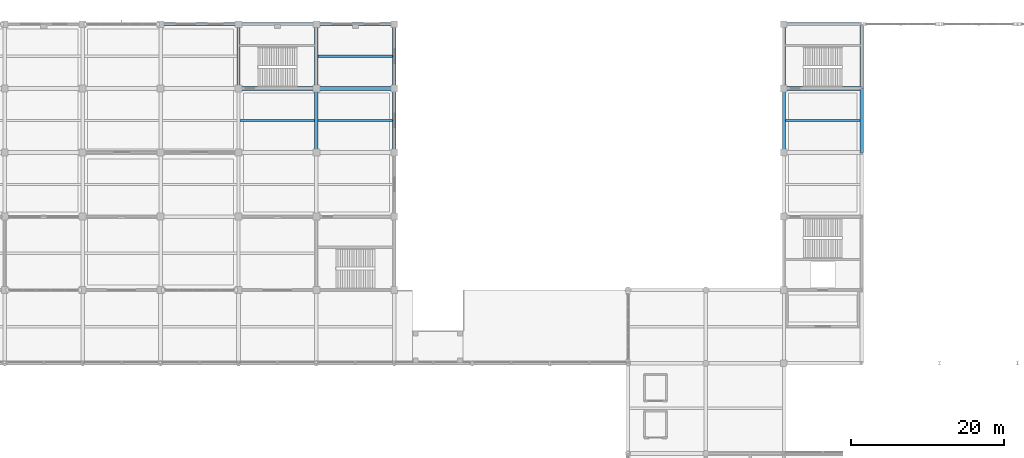
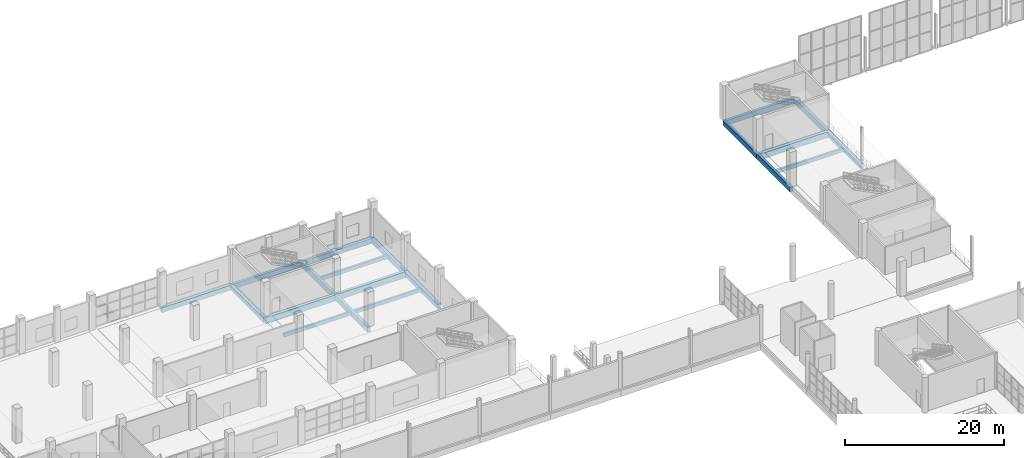
# One storey, part 96 of 175: 20 beams.
"""IFC4 building model written with IfcOpenShell, lengths in metres."""

from ifc_helpers import new_model, si_unit, direction, frame, origin, origin_2d, place, context, subcontext, project, spatial, rectangle, extrude, material, material_profile, profile_set, type_object, element, save


model = new_model("IFC4")

# Units and contexts
model_context = context("Model", 3, precision=1e-05, world=origin(), true_north=direction((0.0, 1.0)))
body_context = subcontext(model_context, "Body", "Model", "MODEL_VIEW")
ifc_project = project(units=[si_unit("LENGTHUNIT", "METRE"), si_unit("AREAUNIT", "SQUARE_METRE"), si_unit("VOLUMEUNIT", "CUBIC_METRE"), si_unit("PLANEANGLEUNIT", "RADIAN"), si_unit("MASSUNIT", "GRAM", prefix="KILO")], contexts=[model_context])

# Site, building, storey
site_placement = place(None, origin())
site = spatial("IfcSite", under=ifc_project, at=site_placement, CompositionType="ELEMENT")
building_placement = place(site_placement, origin())
building = spatial("IfcBuilding", under=site, at=building_placement, Name="Brelvane Convention Centre", CompositionType="ELEMENT")
storey_placement = place(building_placement, frame((0.0, 0.0, 5.39990234375)))
storey = spatial("IfcBuildingStorey", under=building, at=storey_placement, Name="L01", CompositionType="ELEMENT", Elevation=5.39990234375)

# Beams
ifc_material_1 = material(Name="Concrete M40", Category="concrete")
ifc_material_profile_1 = material_profile(ifc_material_1, rectangle(XDim=0.5, YDim=0.89990234375, at=origin_2d()), Name="RC 500x900")
ifc_profile_set_1 = profile_set([ifc_material_profile_1], Name="Concrete M40")
beam_type_1 = type_object("IfcBeamType", Name="RC Beam B-RC4 (RC 500x900)", PredefinedType="BEAM", material=ifc_profile_set_1)
for number, where, z_axis, x_axis, name in (
    (1, (91.800048828125, 135.60009765625, -0.77001953125), (1.0, 0.0, 0.0), (0.0, 1.0, 0.0), "L01 Beam 10-11/P"),
    (2, (102.0, 135.60009765625, -0.77001953125), (1.0, 0.0, 0.0), (0.0, 1.0, 0.0), "L01 Beam 11-12/P"),
    (3, (163.199951171875, 135.60009765625, -0.7099609375), (1.0, 0.0, 0.0), (0.0, 1.0, 0.0), "L01 Beam 17-18/P"),
):
    element("IfcBeam", number, at=place(storey_placement, frame(where, z_axis=z_axis, x_axis=x_axis)), inside=storey, type_object=beam_type_1, Name=name, PredefinedType="BEAM", context=body_context, shape_type="SweptSolid", body=[
        extrude(rectangle(XDim=0.5, YDim=0.89990234375, at=origin_2d()), origin(), (0.0, 0.0, 1.0), 10.199951171875),
    ])
ifc_material_2 = material(Name="Concrete M40", Category="concrete")
ifc_material_profile_2 = material_profile(ifc_material_2, rectangle(XDim=0.449951171875, YDim=0.800048828125, at=origin_2d()), Name="RC 450x800")
ifc_profile_set_2 = profile_set([ifc_material_profile_2], Name="Concrete M40")
beam_type_2 = type_object("IfcBeamType", Name="RC Beam B-RC5 (RC 450x800)", PredefinedType="BEAM", material=ifc_profile_set_2)
beam_1_placement = place(storey_placement, frame((91.800048828125, 135.60009765625, -0.719970703125), z_axis=(0.0, 1.0, 0.0), x_axis=(-1.0, 0.0, 0.0)))
element("IfcBeam", 4, at=beam_1_placement, inside=storey, type_object=beam_type_2, Name="L01 Girder 10/P-Q", PredefinedType="BEAM", context=body_context, shape_type="SweptSolid", body=[
    extrude(rectangle(XDim=0.449951171875, YDim=0.800048828125, at=origin_2d()), origin(), (0.0, 0.0, 1.0), 8.39990234375),
])
beam_2_placement = place(storey_placement, frame((102.0, 127.199951171875, -0.719970703125), z_axis=(0.0, 1.0, 0.0), x_axis=(-1.0, 0.0, 0.0)))
element("IfcBeam", 5, at=beam_2_placement, inside=storey, type_object=beam_type_2, Name="L01 Girder 11/N-P", PredefinedType="BEAM", context=body_context, shape_type="SweptSolid", body=[
    extrude(rectangle(XDim=0.449951171875, YDim=0.800048828125, at=origin_2d()), origin(), (0.0, 0.0, 1.0), 8.400146484375),
])
beam_3_placement = place(storey_placement, frame((102.0, 135.60009765625, -0.719970703125), z_axis=(0.0, 1.0, 0.0), x_axis=(-1.0, 0.0, 0.0)))
element("IfcBeam", 6, at=beam_3_placement, inside=storey, type_object=beam_type_2, Name="L01 Girder 11/P-Q", PredefinedType="BEAM", context=body_context, shape_type="SweptSolid", body=[
    extrude(rectangle(XDim=0.449951171875, YDim=0.800048828125, at=origin_2d()), origin(), (0.0, 0.0, 1.0), 8.39990234375),
])
beam_4_placement = place(storey_placement, frame((112.199951171875, 127.199951171875, -0.719970703125), z_axis=(0.0, 1.0, 0.0), x_axis=(-1.0, 0.0, 0.0)))
element("IfcBeam", 7, at=beam_4_placement, inside=storey, type_object=beam_type_2, Name="L01 Girder 12/N-P", PredefinedType="BEAM", context=body_context, shape_type="SweptSolid", body=[
    extrude(rectangle(XDim=0.449951171875, YDim=0.800048828125, at=origin_2d()), origin(), (0.0, 0.0, 1.0), 8.400146484375),
])
beam_5_placement = place(storey_placement, frame((112.199951171875, 135.60009765625, -0.719970703125), z_axis=(0.0, 1.0, 0.0), x_axis=(-1.0, 0.0, 0.0)))
element("IfcBeam", 8, at=beam_5_placement, inside=storey, type_object=beam_type_2, Name="L01 Girder 12/P-Q", PredefinedType="BEAM", context=body_context, shape_type="SweptSolid", body=[
    extrude(rectangle(XDim=0.449951171875, YDim=0.800048828125, at=origin_2d()), origin(), (0.0, 0.0, 1.0), 8.39990234375),
])
beam_6_placement = place(storey_placement, frame((173.39990234375, 127.199951171875, -0.659912109375), z_axis=(0.0, 1.0, 0.0), x_axis=(-1.0, 0.0, 0.0)))
element("IfcBeam", 9, at=beam_6_placement, inside=storey, type_object=beam_type_2, Name="L01 Girder 18/N-P", PredefinedType="BEAM", context=body_context, shape_type="SweptSolid", body=[
    extrude(rectangle(XDim=0.449951171875, YDim=0.800048828125, at=origin_2d()), origin(), (0.0, 0.0, 1.0), 8.400146484375),
])
beam_7_placement = place(storey_placement, frame((173.39990234375, 135.60009765625, -0.659912109375), z_axis=(0.0, 1.0, 0.0), x_axis=(-1.0, 0.0, 0.0)))
element("IfcBeam", 10, at=beam_7_placement, inside=storey, type_object=beam_type_2, Name="L01 Girder 18/P-Q", PredefinedType="BEAM", context=body_context, shape_type="SweptSolid", body=[
    extrude(rectangle(XDim=0.449951171875, YDim=0.800048828125, at=origin_2d()), origin(), (0.0, 0.0, 1.0), 8.39990234375),
])
ifc_material_3 = material(Name="Concrete M40", Category="concrete")
ifc_material_profile_3 = material_profile(ifc_material_3, rectangle(XDim=0.300048828125, YDim=0.550048828125, at=origin_2d()), Name="RC 300x550")
ifc_profile_set_3 = profile_set([ifc_material_profile_3], Name="Concrete M40")
beam_type_3 = type_object("IfcBeamType", Name="RC Joist J-RC1 (RC 300x550)", PredefinedType="JOIST", material=ifc_profile_set_3)
for number, where, z_axis, x_axis, name in (
    (11, (92.02490234375, 131.39990234375, -0.594970703125), (1.0, 0.0, 0.0), (0.0, 1.0, 0.0), "L01 Secondary Joist 10-11/NP"),
    (12, (102.22509765625, 131.39990234375, -0.594970703125), (1.0, 0.0, 0.0), (0.0, 1.0, 0.0), "L01 Secondary Joist 11-12/NP"),
    (13, (102.22509765625, 139.800048828125, -0.594970703125), (1.0, 0.0, 0.0), (0.0, 1.0, 0.0), "L01 Secondary Joist 11-12/PQ"),
):
    element("IfcBeam", number, at=place(storey_placement, frame(where, z_axis=z_axis, x_axis=x_axis)), inside=storey, type_object=beam_type_3, Name=name, PredefinedType="JOIST", context=body_context, shape_type="SweptSolid", body=[
        extrude(rectangle(XDim=0.300048828125, YDim=0.550048828125, at=origin_2d()), origin(), (0.0, 0.0, 1.0), 9.75),
    ])
beam_8_placement = place(storey_placement, frame((163.39990234375, 131.39990234375, -0.534912109375), z_axis=(1.0, 0.0, 0.0), x_axis=(0.0, 1.0, 0.0)))
element("IfcBeam", 14, at=beam_8_placement, inside=storey, type_object=beam_type_3, Name="L01 Secondary Joist 17-18/NP", PredefinedType="JOIST", context=body_context, shape_type="SweptSolid", body=[
    extrude(rectangle(XDim=0.300048828125, YDim=0.550048828125, at=origin_2d()), origin(), (0.0, 0.0, 1.0), 9.775146484375),
])
ifc_material_4 = material(Name="Concrete M40", Category="concrete")
ifc_material_profile_4 = material_profile(ifc_material_4, rectangle(XDim=0.39990234375, YDim=0.75, at=origin_2d()), Name="RC 400x750")
ifc_profile_set_4 = profile_set([ifc_material_profile_4], Name="Concrete M40")
beam_type_4 = type_object("IfcBeamType", Name="RC Spandrel SP-RC1 (RC 400x750)", PredefinedType="SPANDREL", material=ifc_profile_set_4)
for number, where, z_axis, x_axis, name in (
    (15, (81.60009765625, 144.0, -0.69482421875), (1.0, 0.0, 0.0), (0.0, 1.0, 0.0), "L01 Beam 9-10/Q"),
    (16, (91.800048828125, 144.0, -0.69482421875), (1.0, 0.0, 0.0), (0.0, 1.0, 0.0), "L01 Beam 10-11/Q"),
    (17, (102.0, 144.0, -0.69482421875), (1.0, 0.0, 0.0), (0.0, 1.0, 0.0), "L01 Beam 11-12/Q"),
    (18, (163.199951171875, 144.0, -0.635009765625), (1.0, 0.0, 0.0), (0.0, 1.0, 0.0), "L01 Beam 17-18/Q"),
):
    element("IfcBeam", number, at=place(storey_placement, frame(where, z_axis=z_axis, x_axis=x_axis)), inside=storey, type_object=beam_type_4, Name=name, PredefinedType="SPANDREL", context=body_context, shape_type="SweptSolid", body=[
        extrude(rectangle(XDim=0.39990234375, YDim=0.75, at=origin_2d()), origin(), (0.0, 0.0, 1.0), 10.199951171875),
    ])
beam_9_placement = place(storey_placement, frame((163.199951171875, 127.199951171875, -0.635009765625), z_axis=(0.0, 1.0, 0.0), x_axis=(-1.0, 0.0, 0.0)))
element("IfcBeam", 19, at=beam_9_placement, inside=storey, type_object=beam_type_4, Name="L01 Girder 17/N-P", PredefinedType="SPANDREL", context=body_context, shape_type="SweptSolid", body=[
    extrude(rectangle(XDim=0.39990234375, YDim=0.75, at=origin_2d()), origin(), (0.0, 0.0, 1.0), 8.400146484375),
])
beam_10_placement = place(storey_placement, frame((163.199951171875, 135.60009765625, -0.635009765625), z_axis=(0.0, 1.0, 0.0), x_axis=(-1.0, 0.0, 0.0)))
element("IfcBeam", 20, at=beam_10_placement, inside=storey, type_object=beam_type_4, Name="L01 Girder 17/P-Q", PredefinedType="SPANDREL", context=body_context, shape_type="SweptSolid", body=[
    extrude(rectangle(XDim=0.39990234375, YDim=0.75, at=origin_2d()), origin(), (0.0, 0.0, 1.0), 8.39990234375),
])

save(model, "model.ifc")
